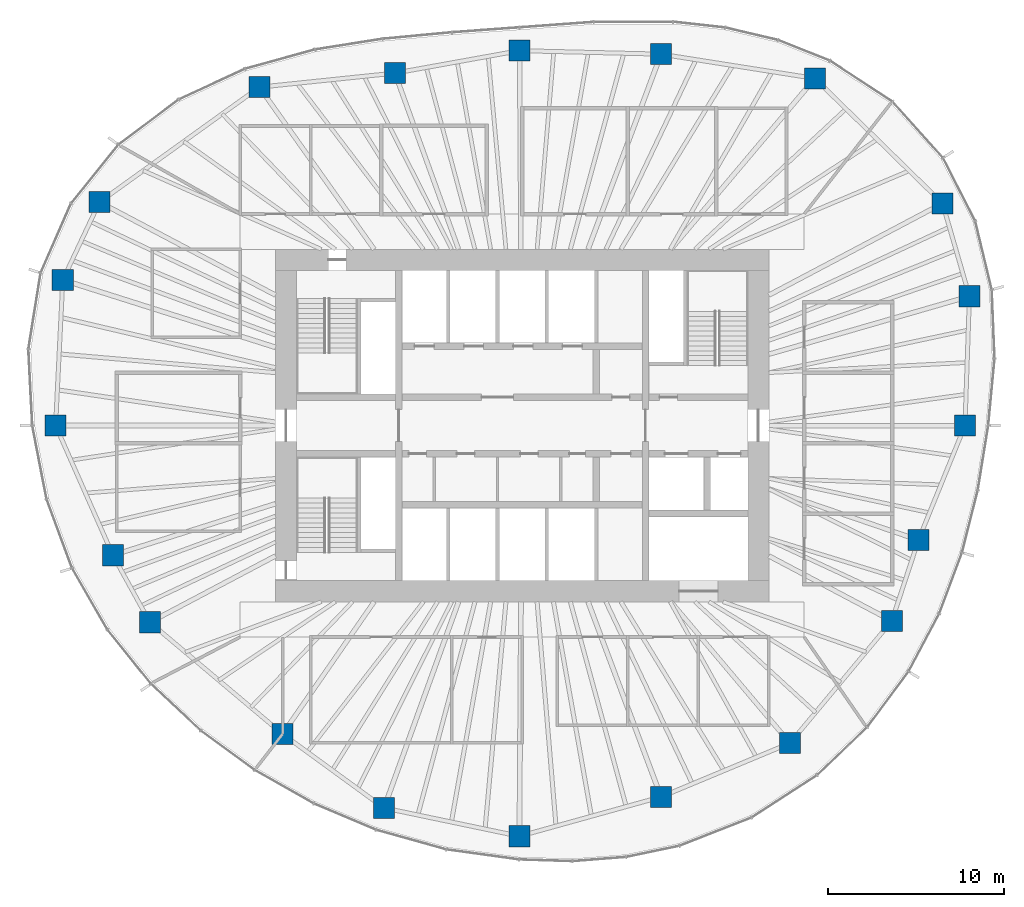
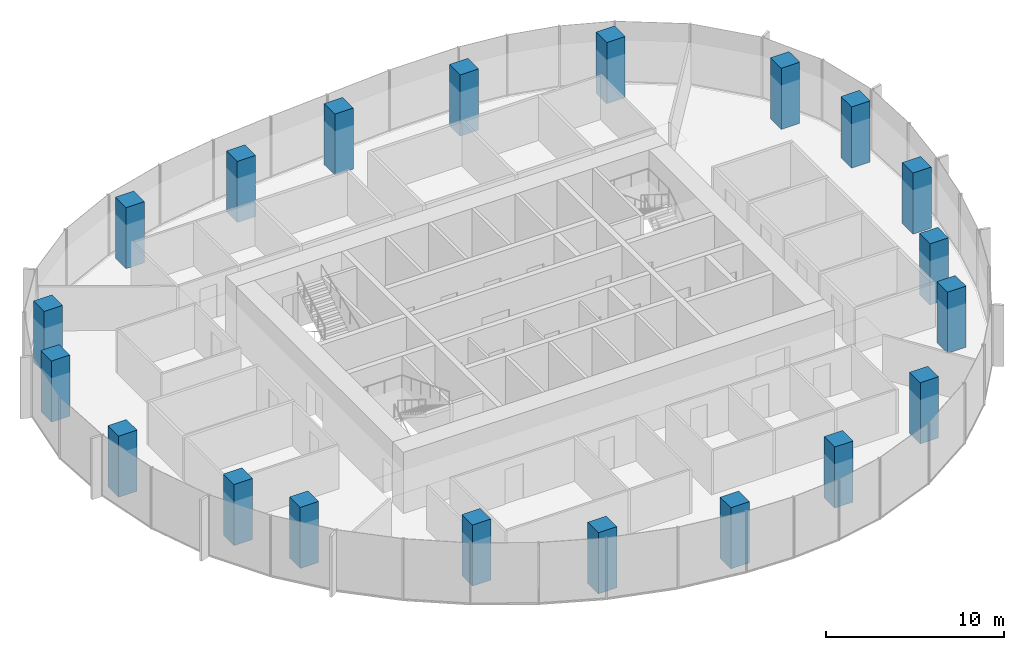
# One storey, part 1 of 12: 20 columns.
"""IFC4 building model written with IfcOpenShell, lengths in metres."""

from ifc_helpers import new_model, si_unit, direction, frame, origin, origin_2d, place, context, subcontext, project, spatial, rectangle, extrude, material, material_profile, profile_set, type_object, element, save


model = new_model("IFC4")

# Units and contexts
model_context = context("Model", 3, precision=1e-05, world=origin(), true_north=direction((0.0, 1.0)))
body_context = subcontext(model_context, "Body", "Model", "MODEL_VIEW")
ifc_project = project(units=[si_unit("LENGTHUNIT", "METRE"), si_unit("AREAUNIT", "SQUARE_METRE"), si_unit("VOLUMEUNIT", "CUBIC_METRE"), si_unit("PLANEANGLEUNIT", "RADIAN"), si_unit("MASSUNIT", "GRAM", prefix="KILO")], contexts=[model_context])

# Site, building, storey
site_placement = place(None, origin())
site = spatial("IfcSite", under=ifc_project, at=site_placement, CompositionType="ELEMENT")
building_placement = place(site_placement, origin())
building = spatial("IfcBuilding", under=site, at=building_placement, Name="Ghaith Harvest Tower", CompositionType="ELEMENT")
storey_placement = place(building_placement, frame((0.0, 0.0, 232.60009765625)))
storey = spatial("IfcBuildingStorey", under=building, at=storey_placement, Name="L51", CompositionType="ELEMENT", Elevation=232.60009765625)

# Columns
ifc_material = material(Name="Concrete C60/75", Category="concrete")
ifc_material_profile = material_profile(ifc_material, rectangle(XDim=1.199951171875, YDim=1.199951171875, at=origin_2d()), Name="RC1200X1200")
ifc_profile_set = profile_set([ifc_material_profile], Name="Concrete C60/75")
column_type = type_object("IfcColumnType", Name="TC6 RC1200X1200", PredefinedType="COLUMN", material=ifc_profile_set)
for number, where, z_axis, x_axis, name in (
    (1, (25.125, 0.0, 0.0), (0.0, 0.0, 1.0), (1.0, 0.0, 0.0), "Perimeter column C01"),
    (2, (25.3779296875, 7.3349609375, 0.0), (0.0, 0.0, 1.0), (1.0, 0.0, 0.0), "Perimeter column C02"),
    (3, (23.85205078125, 12.60693359375, 0.0), (0.0, 0.0, 1.0), (1.0, 0.0, 0.0), "Perimeter column C03"),
    (4, (16.60791015625, 19.695068359375, 0.0), (0.0, 0.0, 1.0), (1.0, 0.0, 0.0), "Perimeter column C04"),
    (5, (7.8779296875, 21.072021484375, 0.0), (0.0, 0.0, 1.0), (1.0, 0.0, 0.0), "Perimeter column C05"),
    (6, (-0.14599609375, 21.27099609375, 0.0), (0.0, 0.0, 1.0), (1.0, 0.0, 0.0), "Perimeter column C06"),
    (7, (-7.221923828125, 19.9970703125, 0.0), (0.0, 0.0, 1.0), (1.0, 0.0, 0.0), "Perimeter column C07"),
    (8, (-14.910888671875, 19.199951171875, 0.0), (0.0, 0.0, 1.0), (1.0, 0.0, 0.0), "Perimeter column C08"),
    (9, (-23.986083984375, 12.677978515625, 0.0), (0.0, 0.0, 1.0), (1.0, 0.0, 0.0), "Perimeter column C09"),
    (10, (-26.06689453125, 8.260986328125, 0.0), (0.0, 0.0, 1.0), (1.0, 0.0, 0.0), "Perimeter column C10"),
    (11, (-26.47509765625, 0.0, 0.0), (0.0, 0.0, 1.0), (1.0, 0.0, 0.0), "Perimeter column C11"),
    (12, (-23.22412109375, -7.360107421875, 0.0), (0.0, 0.0, 1.0), (1.0, 0.0, 0.0), "Perimeter column C12"),
    (13, (-21.125, -11.166015625, 0.0), (0.0, 0.0, 1.0), (1.0, 0.0, 0.0), "Perimeter column C13"),
    (14, (-13.594970703125, -17.5048828125, 0.0), (0.0, 0.0, 1.0), (1.0, 0.0, 0.0), "Perimeter column C14"),
    (15, (-7.837890625, -21.699951171875, 0.0), (0.0, 0.0, 1.0), (1.0, 0.0, 0.0), "Perimeter column C15"),
    (16, (-0.158935546875, -23.304931640625, 0.0), (0.0, 0.0, 1.0), (1.0, 0.0, 0.0), "Perimeter column C16"),
    (17, (7.8779296875, -21.072021484375, 0.0), (0.0, 0.0, 1.0), (1.0, 0.0, 0.0), "Perimeter column C17"),
    (18, (15.197998046875, -18.02294921875, 0.0), (0.0, 0.0, 1.0), (1.0, 0.0, 0.0), "Perimeter column C18"),
    (19, (20.97705078125, -11.087890625, 0.0), (0.0, 0.0, 1.0), (1.0, 0.0, 0.0), "Perimeter column C19"),
    (20, (22.485107421875, -6.4990234375, 0.0), (0.0, 0.0, 1.0), (1.0, 0.0, 0.0), "Perimeter column C20"),
):
    element("IfcColumn", number, at=place(storey_placement, frame(where, z_axis=z_axis, x_axis=x_axis)), inside=storey, type_object=column_type, Name=name, PredefinedType="COLUMN", context=body_context, shape_type="SweptSolid", body=[
        extrude(rectangle(XDim=1.199951171875, YDim=1.199951171875, at=origin_2d()), origin(), (0.0, 0.0, 1.0), 4.199951171875),
    ])

save(model, "model.ifc")
